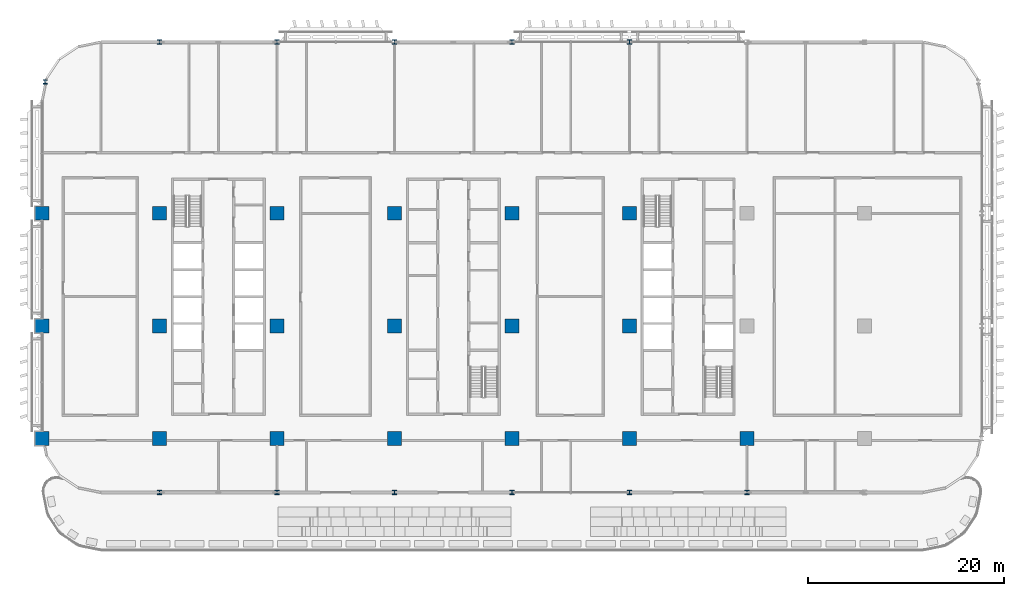
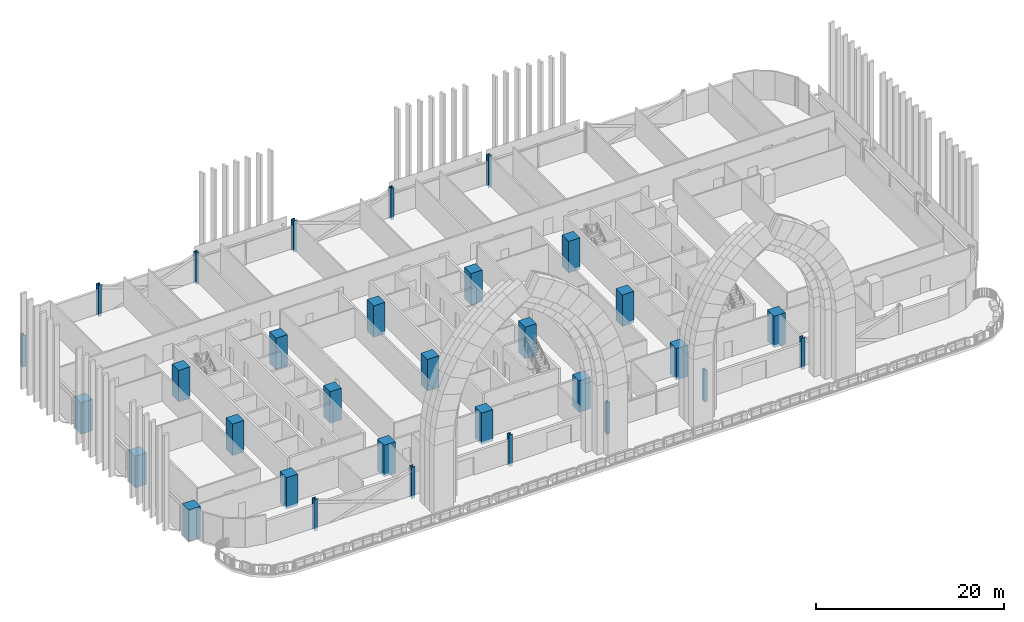
# One storey, part 1 of 31: 31 columns.
"""IFC4 building model written with IfcOpenShell, lengths in metres."""

from ifc_helpers import new_model, si_unit, direction, frame, origin, origin_2d, place, context, subcontext, project, spatial, rectangle, i_section, extrude, material, material_profile, profile_set, type_object, element, save


model = new_model("IFC4")

# Units and contexts
model_context = context("Model", 3, precision=1e-05, world=origin(), true_north=direction((0.0, 1.0)))
body_context = subcontext(model_context, "Body", "Model", "MODEL_VIEW")
ifc_project = project(units=[si_unit("LENGTHUNIT", "METRE"), si_unit("AREAUNIT", "SQUARE_METRE"), si_unit("VOLUMEUNIT", "CUBIC_METRE"), si_unit("PLANEANGLEUNIT", "RADIAN"), si_unit("MASSUNIT", "GRAM", prefix="KILO")], contexts=[model_context])

# Site, building, storey
site_placement = place(None, origin())
site = spatial("IfcSite", under=ifc_project, at=site_placement, CompositionType="ELEMENT")
building_placement = place(site_placement, origin())
building = spatial("IfcBuilding", under=site, at=building_placement, Name="Mahtab Terrace Research Tower", CompositionType="ELEMENT")
storey_placement = place(building_placement, frame((0.0, 0.0, 84.800048828125)))
storey = spatial("IfcBuildingStorey", under=building, at=storey_placement, Name="L19", CompositionType="ELEMENT", Elevation=84.800048828125)

# Columns
ifc_material_1 = material(Name="Concrete C70/85", Category="concrete")
ifc_material_profile_1 = material_profile(ifc_material_1, rectangle(XDim=1.39990234375, YDim=1.39990234375, at=origin_2d()), Name="RC column 1400x1400")
ifc_profile_set_1 = profile_set([ifc_material_profile_1], Name="Concrete C70/85")
column_type_1 = type_object("IfcColumnType", Name="RC column 1400x1400", PredefinedType="COLUMN", material=ifc_profile_set_1)
for number, where, z_axis, x_axis, name in (
    (1, (-42.0, -11.5, -0.340087890625), (0.0, 0.0, 1.0), (1.0, 0.0, 0.0), "Column RC-1A L19"),
    (2, (-42.0, 0.0, -0.340087890625), (0.0, 0.0, 1.0), (1.0, 0.0, 0.0), "Column RC-1B L19"),
    (3, (-42.0, 11.5, -0.340087890625), (0.0, 0.0, 1.0), (1.0, 0.0, 0.0), "Column RC-1C L19"),
    (4, (-30.0, -11.5, -0.340087890625), (0.0, 0.0, 1.0), (1.0, 0.0, 0.0), "Column RC-2A L19"),
    (5, (-30.0, 0.0, -0.340087890625), (0.0, 0.0, 1.0), (1.0, 0.0, 0.0), "Column RC-2B L19"),
    (6, (-30.0, 11.5, -0.340087890625), (0.0, 0.0, 1.0), (1.0, 0.0, 0.0), "Column RC-2C L19"),
    (7, (-18.0, -11.5, -0.340087890625), (0.0, 0.0, 1.0), (1.0, 0.0, 0.0), "Column RC-3A L19"),
    (8, (-18.0, 0.0, -0.340087890625), (0.0, 0.0, 1.0), (1.0, 0.0, 0.0), "Column RC-3B L19"),
    (9, (-18.0, 11.5, -0.340087890625), (0.0, 0.0, 1.0), (1.0, 0.0, 0.0), "Column RC-3C L19"),
    (10, (-6.0, -11.5, -0.340087890625), (0.0, 0.0, 1.0), (1.0, 0.0, 0.0), "Column RC-4A L19"),
    (11, (-6.0, 0.0, -0.340087890625), (0.0, 0.0, 1.0), (1.0, 0.0, 0.0), "Column RC-4B L19"),
    (12, (-6.0, 11.5, -0.340087890625), (0.0, 0.0, 1.0), (1.0, 0.0, 0.0), "Column RC-4C L19"),
    (13, (6.0, -11.5, -0.340087890625), (0.0, 0.0, 1.0), (1.0, 0.0, 0.0), "Column RC-5A L19"),
    (14, (6.0, 0.0, -0.340087890625), (0.0, 0.0, 1.0), (1.0, 0.0, 0.0), "Column RC-5B L19"),
    (15, (6.0, 11.5, -0.340087890625), (0.0, 0.0, 1.0), (1.0, 0.0, 0.0), "Column RC-5C L19"),
    (16, (18.0, -11.5, -0.340087890625), (0.0, 0.0, 1.0), (1.0, 0.0, 0.0), "Column RC-6A L19"),
    (17, (18.0, 0.0, -0.340087890625), (0.0, 0.0, 1.0), (1.0, 0.0, 0.0), "Column RC-6B L19"),
    (18, (18.0, 11.5, -0.340087890625), (0.0, 0.0, 1.0), (1.0, 0.0, 0.0), "Column RC-6C L19"),
    (19, (30.0, -11.5, -0.340087890625), (0.0, 0.0, 1.0), (1.0, 0.0, 0.0), "Column RC-7A L19"),
):
    element("IfcColumn", number, at=place(storey_placement, frame(where, z_axis=z_axis, x_axis=x_axis)), inside=storey, type_object=column_type_1, Name=name, PredefinedType="COLUMN", context=body_context, shape_type="SweptSolid", body=[
        extrude(rectangle(XDim=1.39990234375, YDim=1.39990234375, at=origin_2d()), origin(), (0.0, 0.0, 1.0), 4.10009765625),
    ])
ifc_material_2 = material(Name="Steel ASTM A992 Gr 50", Category="steel")
ifc_material_profile_2 = material_profile(ifc_material_2, i_section(OverallWidth=0.419189453125, OverallDepth=0.45458984375, WebThickness=0.042236328125, FlangeThickness=0.067626953125, at=origin_2d()), Name="W14X370")
ifc_profile_set_2 = profile_set([ifc_material_profile_2], Name="Steel ASTM A992 Gr 50")
column_type_2 = type_object("IfcColumnType", Name="W14x370 column CS14370", PredefinedType="COLUMN", material=ifc_profile_set_2)
for number, where, z_axis, x_axis, name in (
    (20, (18.0, 29.0, -0.340087890625), (0.0, 0.0, 1.0), (1.0, 0.0, 0.0), "Column SC-033 L19"),
    (21, (6.0, 29.0, -0.340087890625), (0.0, 0.0, 1.0), (1.0, 0.0, 0.0), "Column SC-034 L19"),
    (22, (-6.0, 29.0, -0.340087890625), (0.0, 0.0, 1.0), (1.0, 0.0, 0.0), "Column SC-035 L19"),
    (23, (-18.0, 29.0, -0.340087890625), (0.0, 0.0, 1.0), (1.0, 0.0, 0.0), "Column SC-036 L19"),
    (24, (-30.0, 29.0, -0.340087890625), (0.0, 0.0, 1.0), (1.0, 0.0, 0.0), "Column SC-037 L19"),
    (25, (-41.681884765625, 24.927001953125, -0.340087890625), (0.0, 0.0, 1.0), (1.0, 0.0, 0.0), "Column SC-038 L19"),
    (26, (-30.0, -17.0, -0.340087890625), (0.0, 0.0, 1.0), (1.0, 0.0, 0.0), "Column SC-039 L19"),
    (27, (-18.0, -17.0, -0.340087890625), (0.0, 0.0, 1.0), (1.0, 0.0, 0.0), "Column SC-040 L19"),
    (28, (-6.0, -17.0, -0.340087890625), (0.0, 0.0, 1.0), (1.0, 0.0, 0.0), "Column SC-041 L19"),
    (29, (6.0, -17.0, -0.340087890625), (0.0, 0.0, 1.0), (1.0, 0.0, 0.0), "Column SC-042 L19"),
    (30, (18.0, -17.0, -0.340087890625), (0.0, 0.0, 1.0), (1.0, 0.0, 0.0), "Column SC-043 L19"),
    (31, (30.0, -17.0, -0.340087890625), (0.0, 0.0, 1.0), (1.0, 0.0, 0.0), "Column SC-044 L19"),
):
    element("IfcColumn", number, at=place(storey_placement, frame(where, z_axis=z_axis, x_axis=x_axis)), inside=storey, type_object=column_type_2, Name=name, PredefinedType="COLUMN", context=body_context, shape_type="SweptSolid", body=[
        extrude(i_section(OverallWidth=0.419189453125, OverallDepth=0.45458984375, WebThickness=0.042236328125, FlangeThickness=0.067626953125, at=origin_2d()), origin(), (0.0, 0.0, 1.0), 4.10009765625),
    ])

save(model, "model.ifc")
